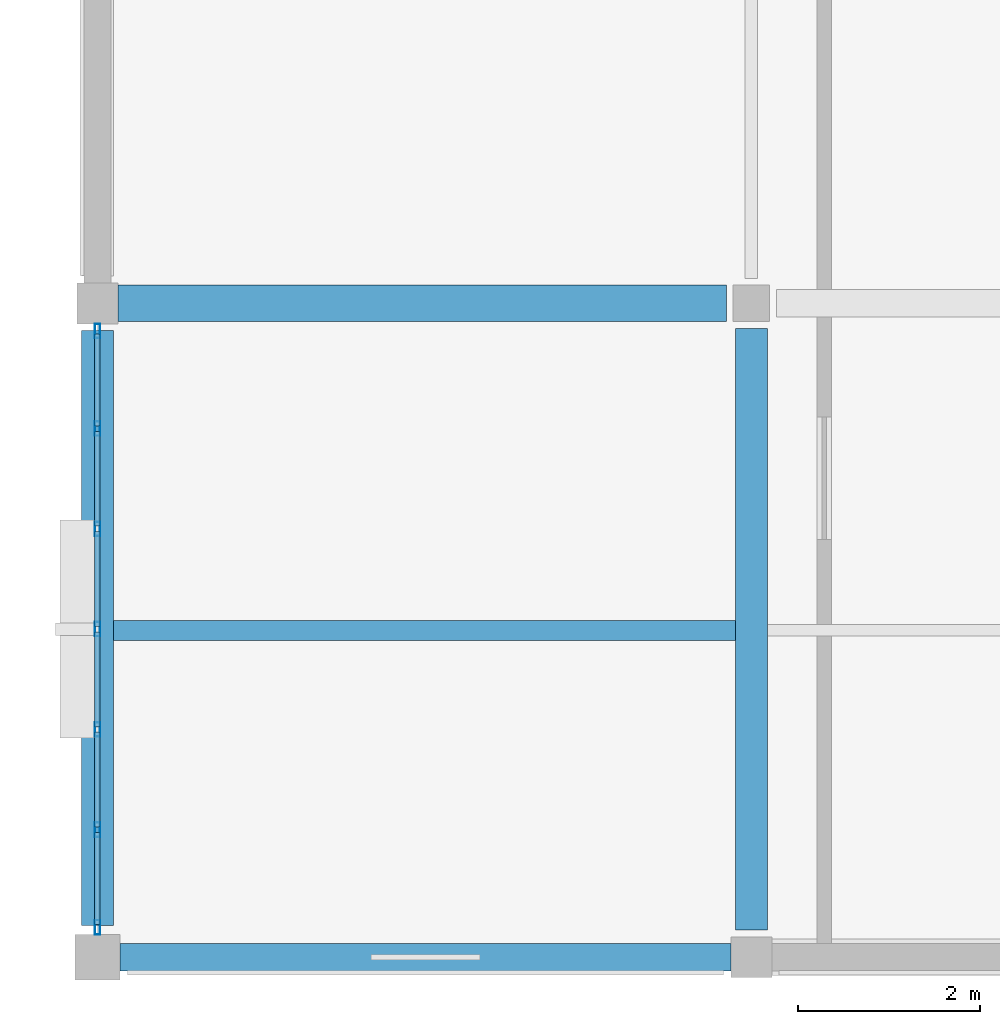
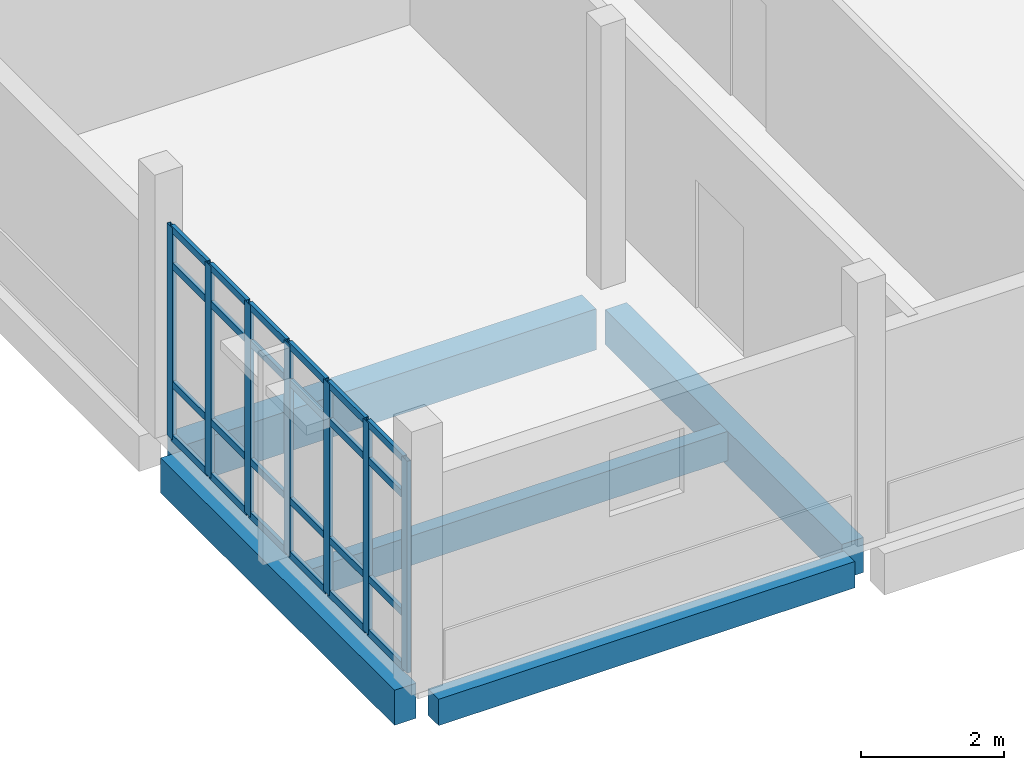
# One storey, part 6 of 62: 31 members, 5 beams, 1 element without a shape of its own.
"""IFC4 building model written with IfcOpenShell, lengths in metres."""

from ifc_helpers import new_model, si_unit, direction, frame, origin, origin_2d, place, context, subcontext, project, spatial, rectangle, hollow_rectangle, extrude, material, material_profile, profile_set, type_object, element, aggregate, save


model = new_model("IFC4")

# Units and contexts
model_context = context("Model", 3, precision=1e-05, world=origin(), true_north=direction((0.0, 1.0)))
body_context = subcontext(model_context, "Body", "Model", "MODEL_VIEW")
ifc_project = project(units=[si_unit("LENGTHUNIT", "METRE"), si_unit("AREAUNIT", "SQUARE_METRE"), si_unit("VOLUMEUNIT", "CUBIC_METRE"), si_unit("PLANEANGLEUNIT", "RADIAN"), si_unit("MASSUNIT", "GRAM", prefix="KILO")], contexts=[model_context])

# Site, building, storey
site_placement = place(None, origin())
site = spatial("IfcSite", under=ifc_project, at=site_placement, CompositionType="ELEMENT")
building_placement = place(site_placement, origin())
building = spatial("IfcBuilding", under=site, at=building_placement, Name="Kalluvel Institute of Natural Sciences", CompositionType="ELEMENT")
storey_placement = place(building_placement, frame((0.0, 0.0, 27.89990234375)))
storey = spatial("IfcBuildingStorey", under=building, at=storey_placement, Name="L06", CompositionType="ELEMENT", Elevation=27.89990234375)

# Beam
ifc_material_1 = material(Name="Concrete M40", Category="concrete")
ifc_material_profile_1 = material_profile(ifc_material_1, rectangle(XDim=0.35009765625, YDim=0.60009765625, at=origin_2d()), Name="RCB 350x600")
ifc_profile_set_1 = profile_set([ifc_material_profile_1], Name="Concrete M40")
beam_type_1 = type_object("IfcBeamType", Name="BM-RC350x600", PredefinedType="BEAM", material=ifc_profile_set_1)
beam_1_placement = place(storey_placement, frame((21.199951171875, 28.699951171875, -0.599853515625), z_axis=(0.0, 1.0, 0.0), x_axis=(-1.0, 0.0, 0.0)))
element("IfcBeam", 1, at=beam_1_placement, inside=storey, type_object=beam_type_1, Name="L06 girder GIR-L06-NS-X212-Y284", PredefinedType="BEAM", context=body_context, shape_type="SweptSolid", body=[
    extrude(rectangle(XDim=0.35009765625, YDim=0.60009765625, at=origin_2d()), origin(), (0.0, 0.0, 1.0), 6.625),
])

# Curtain wall, members
ifc_material_2 = material(Name="Aluminium AW-6063 T6", Category="aluminium")
curtain_wall_type = type_object("IfcCurtainWallType", Name="CW-DRY-45", PredefinedType="USERDEFINED", material=ifc_material_2)
curtain_wall_placement = place(storey_placement, origin())
curtain_wall = element("IfcCurtainWall", 2, at=curtain_wall_placement, inside=storey, type_object=curtain_wall_type, Name="L06 Gothic lancet curtain wall CWA-L06-X140-Y287", ObjectType="UNITISED LANCET FACADE", PredefinedType="USERDEFINED")
ifc_material_profile_2 = material_profile(ifc_material_2, hollow_rectangle(XDim=0.06005859375, YDim=0.159912109375, WallThickness=0.00390625, at=origin_2d()), Name="CWM 60x160")
ifc_profile_set_2 = profile_set([ifc_material_profile_2], Name="Aluminium AW-6063 T6")
member_type_1 = type_object("IfcMemberType", Name="CWM-60x160", PredefinedType="MULLION", material=ifc_profile_set_2)
member_1_placement = place(storey_placement, frame((14.0, 28.72998046875, 0.0), z_axis=(0.0, 0.0, 1.0), x_axis=(-1.0, 0.0, 0.0)))
member_1 = element("IfcMember", 3, at=member_1_placement, type_object=member_type_1, Name="CW-03 mullion 1", PredefinedType="MULLION", context=body_context, shape_type="SweptSolid", body=[
    extrude(hollow_rectangle(XDim=0.06005859375, YDim=0.159912109375, WallThickness=0.00390625, at=origin_2d()), origin(), (0.0, 0.0, 1.0), 3.6201171875),
])
member_2_placement = place(storey_placement, frame((14.0, 29.80419921875, 0.0), z_axis=(0.0, 0.0, 1.0), x_axis=(-1.0, 0.0, 0.0)))
member_2 = element("IfcMember", 4, at=member_2_placement, type_object=member_type_1, Name="CW-03 mullion 2", PredefinedType="MULLION", context=body_context, shape_type="SweptSolid", body=[
    extrude(hollow_rectangle(XDim=0.06005859375, YDim=0.159912109375, WallThickness=0.00390625, at=origin_2d()), origin(), (0.0, 0.0, 1.0), 3.6201171875),
])
member_3_placement = place(storey_placement, frame((14.0, 30.908447265625, 0.0), z_axis=(0.0, 0.0, 1.0), x_axis=(-1.0, 0.0, 0.0)))
member_3 = element("IfcMember", 5, at=member_3_placement, type_object=member_type_1, Name="CW-03 mullion 3", PredefinedType="MULLION", context=body_context, shape_type="SweptSolid", body=[
    extrude(hollow_rectangle(XDim=0.06005859375, YDim=0.159912109375, WallThickness=0.00390625, at=origin_2d()), origin(), (0.0, 0.0, 1.0), 3.6201171875),
])
member_4_placement = place(storey_placement, frame((14.0, 32.012451171875, 0.0), z_axis=(0.0, 0.0, 1.0), x_axis=(-1.0, 0.0, 0.0)))
member_4 = element("IfcMember", 6, at=member_4_placement, type_object=member_type_1, Name="CW-03 mullion 4", PredefinedType="MULLION", context=body_context, shape_type="SweptSolid", body=[
    extrude(hollow_rectangle(XDim=0.06005859375, YDim=0.159912109375, WallThickness=0.00390625, at=origin_2d()), origin(), (0.0, 0.0, 1.0), 3.6201171875),
])
member_5_placement = place(storey_placement, frame((14.0, 33.11669921875, 0.0), z_axis=(0.0, 0.0, 1.0), x_axis=(-1.0, 0.0, 0.0)))
member_5 = element("IfcMember", 7, at=member_5_placement, type_object=member_type_1, Name="CW-03 mullion 5", PredefinedType="MULLION", context=body_context, shape_type="SweptSolid", body=[
    extrude(hollow_rectangle(XDim=0.06005859375, YDim=0.159912109375, WallThickness=0.00390625, at=origin_2d()), origin(), (0.0, 0.0, 1.0), 3.6201171875),
])
member_6_placement = place(storey_placement, frame((14.0, 34.220947265625, 0.0), z_axis=(0.0, 0.0, 1.0), x_axis=(-1.0, 0.0, 0.0)))
member_6 = element("IfcMember", 8, at=member_6_placement, type_object=member_type_1, Name="CW-03 mullion 6", PredefinedType="MULLION", context=body_context, shape_type="SweptSolid", body=[
    extrude(hollow_rectangle(XDim=0.06005859375, YDim=0.159912109375, WallThickness=0.00390625, at=origin_2d()), origin(), (0.0, 0.0, 1.0), 3.6201171875),
])
member_7_placement = place(storey_placement, frame((14.0, 35.294921875, 0.0), z_axis=(0.0, 0.0, 1.0), x_axis=(-1.0, 0.0, 0.0)))
member_7 = element("IfcMember", 9, at=member_7_placement, type_object=member_type_1, Name="CW-03 mullion 7", PredefinedType="MULLION", context=body_context, shape_type="SweptSolid", body=[
    extrude(hollow_rectangle(XDim=0.06005859375, YDim=0.159912109375, WallThickness=0.00390625, at=origin_2d()), origin(), (0.0, 0.0, 1.0), 3.6201171875),
])
ifc_material_profile_3 = material_profile(ifc_material_2, hollow_rectangle(XDim=0.06005859375, YDim=0.1201171875, WallThickness=0.00390625, at=origin_2d()), Name="CWT 60x120")
ifc_profile_set_3 = profile_set([ifc_material_profile_3], Name="Aluminium AW-6063 T6")
member_type_2 = type_object("IfcMemberType", Name="CWT-60x120", PredefinedType="USERDEFINED", material=ifc_profile_set_3)
member_8_placement = place(storey_placement, frame((14.0, 28.760009765625, 0.030029296875), z_axis=(0.0, 1.0, 0.0), x_axis=(-1.0, 0.0, 0.0)))
member_8 = element("IfcMember", 10, at=member_8_placement, type_object=member_type_2, Name="CW-03 transom 1.1", ObjectType="TRANSOM", PredefinedType="USERDEFINED", context=body_context, shape_type="SweptSolid", body=[
    extrude(hollow_rectangle(XDim=0.06005859375, YDim=0.1201171875, WallThickness=0.00390625, at=origin_2d()), origin(), (0.0, 0.0, 1.0), 1.01416015625),
])
member_9_placement = place(storey_placement, frame((14.0, 28.760009765625, 0.9501953125), z_axis=(0.0, 1.0, 0.0), x_axis=(-1.0, 0.0, 0.0)))
member_9 = element("IfcMember", 11, at=member_9_placement, type_object=member_type_2, Name="CW-03 transom 1.2", ObjectType="TRANSOM", PredefinedType="USERDEFINED", context=body_context, shape_type="SweptSolid", body=[
    extrude(hollow_rectangle(XDim=0.06005859375, YDim=0.1201171875, WallThickness=0.00390625, at=origin_2d()), origin(), (0.0, 0.0, 1.0), 1.01416015625),
])
member_10_placement = place(storey_placement, frame((14.0, 28.760009765625, 2.97021484375), z_axis=(0.0, 1.0, 0.0), x_axis=(-1.0, 0.0, 0.0)))
member_10 = element("IfcMember", 12, at=member_10_placement, type_object=member_type_2, Name="CW-03 transom 1.3", ObjectType="TRANSOM", PredefinedType="USERDEFINED", context=body_context, shape_type="SweptSolid", body=[
    extrude(hollow_rectangle(XDim=0.06005859375, YDim=0.1201171875, WallThickness=0.00390625, at=origin_2d()), origin(), (0.0, 0.0, 1.0), 1.01416015625),
])
member_11_placement = place(storey_placement, frame((14.0, 28.760009765625, 3.590087890625), z_axis=(0.0, 1.0, 0.0), x_axis=(-1.0, 0.0, 0.0)))
member_11 = element("IfcMember", 13, at=member_11_placement, type_object=member_type_2, Name="CW-03 transom 1.4", ObjectType="TRANSOM", PredefinedType="USERDEFINED", context=body_context, shape_type="SweptSolid", body=[
    extrude(hollow_rectangle(XDim=0.06005859375, YDim=0.1201171875, WallThickness=0.00390625, at=origin_2d()), origin(), (0.0, 0.0, 1.0), 1.01416015625),
])
member_12_placement = place(storey_placement, frame((14.0, 29.834228515625, 0.030029296875), z_axis=(0.0, 1.0, 0.0), x_axis=(-1.0, 0.0, 0.0)))
member_12 = element("IfcMember", 14, at=member_12_placement, type_object=member_type_2, Name="CW-03 transom 2.1", ObjectType="TRANSOM", PredefinedType="USERDEFINED", context=body_context, shape_type="SweptSolid", body=[
    extrude(hollow_rectangle(XDim=0.06005859375, YDim=0.1201171875, WallThickness=0.00390625, at=origin_2d()), origin(), (0.0, 0.0, 1.0), 1.044189453125),
])
member_13_placement = place(storey_placement, frame((14.0, 29.834228515625, 0.9501953125), z_axis=(0.0, 1.0, 0.0), x_axis=(-1.0, 0.0, 0.0)))
member_13 = element("IfcMember", 15, at=member_13_placement, type_object=member_type_2, Name="CW-03 transom 2.2", ObjectType="TRANSOM", PredefinedType="USERDEFINED", context=body_context, shape_type="SweptSolid", body=[
    extrude(hollow_rectangle(XDim=0.06005859375, YDim=0.1201171875, WallThickness=0.00390625, at=origin_2d()), origin(), (0.0, 0.0, 1.0), 1.044189453125),
])
member_14_placement = place(storey_placement, frame((14.0, 29.834228515625, 2.97021484375), z_axis=(0.0, 1.0, 0.0), x_axis=(-1.0, 0.0, 0.0)))
member_14 = element("IfcMember", 16, at=member_14_placement, type_object=member_type_2, Name="CW-03 transom 2.3", ObjectType="TRANSOM", PredefinedType="USERDEFINED", context=body_context, shape_type="SweptSolid", body=[
    extrude(hollow_rectangle(XDim=0.06005859375, YDim=0.1201171875, WallThickness=0.00390625, at=origin_2d()), origin(), (0.0, 0.0, 1.0), 1.044189453125),
])
member_15_placement = place(storey_placement, frame((14.0, 29.834228515625, 3.590087890625), z_axis=(0.0, 1.0, 0.0), x_axis=(-1.0, 0.0, 0.0)))
member_15 = element("IfcMember", 17, at=member_15_placement, type_object=member_type_2, Name="CW-03 transom 2.4", ObjectType="TRANSOM", PredefinedType="USERDEFINED", context=body_context, shape_type="SweptSolid", body=[
    extrude(hollow_rectangle(XDim=0.06005859375, YDim=0.1201171875, WallThickness=0.00390625, at=origin_2d()), origin(), (0.0, 0.0, 1.0), 1.044189453125),
])
member_16_placement = place(storey_placement, frame((14.0, 30.938232421875, 0.030029296875), z_axis=(0.0, 1.0, 0.0), x_axis=(-1.0, 0.0, 0.0)))
member_16 = element("IfcMember", 18, at=member_16_placement, type_object=member_type_2, Name="CW-03 transom 3.1", ObjectType="TRANSOM", PredefinedType="USERDEFINED", context=body_context, shape_type="SweptSolid", body=[
    extrude(hollow_rectangle(XDim=0.06005859375, YDim=0.1201171875, WallThickness=0.00390625, at=origin_2d()), origin(), (0.0, 0.0, 1.0), 1.044189453125),
])
member_17_placement = place(storey_placement, frame((14.0, 30.938232421875, 0.9501953125), z_axis=(0.0, 1.0, 0.0), x_axis=(-1.0, 0.0, 0.0)))
member_17 = element("IfcMember", 19, at=member_17_placement, type_object=member_type_2, Name="CW-03 transom 3.2", ObjectType="TRANSOM", PredefinedType="USERDEFINED", context=body_context, shape_type="SweptSolid", body=[
    extrude(hollow_rectangle(XDim=0.06005859375, YDim=0.1201171875, WallThickness=0.00390625, at=origin_2d()), origin(), (0.0, 0.0, 1.0), 1.044189453125),
])
member_18_placement = place(storey_placement, frame((14.0, 30.938232421875, 2.97021484375), z_axis=(0.0, 1.0, 0.0), x_axis=(-1.0, 0.0, 0.0)))
member_18 = element("IfcMember", 20, at=member_18_placement, type_object=member_type_2, Name="CW-03 transom 3.3", ObjectType="TRANSOM", PredefinedType="USERDEFINED", context=body_context, shape_type="SweptSolid", body=[
    extrude(hollow_rectangle(XDim=0.06005859375, YDim=0.1201171875, WallThickness=0.00390625, at=origin_2d()), origin(), (0.0, 0.0, 1.0), 1.044189453125),
])
member_19_placement = place(storey_placement, frame((14.0, 30.938232421875, 3.590087890625), z_axis=(0.0, 1.0, 0.0), x_axis=(-1.0, 0.0, 0.0)))
member_19 = element("IfcMember", 21, at=member_19_placement, type_object=member_type_2, Name="CW-03 transom 3.4", ObjectType="TRANSOM", PredefinedType="USERDEFINED", context=body_context, shape_type="SweptSolid", body=[
    extrude(hollow_rectangle(XDim=0.06005859375, YDim=0.1201171875, WallThickness=0.00390625, at=origin_2d()), origin(), (0.0, 0.0, 1.0), 1.044189453125),
])
member_20_placement = place(storey_placement, frame((14.0, 32.04248046875, 0.030029296875), z_axis=(0.0, 1.0, 0.0), x_axis=(-1.0, 0.0, 0.0)))
member_20 = element("IfcMember", 22, at=member_20_placement, type_object=member_type_2, Name="CW-03 transom 4.1", ObjectType="TRANSOM", PredefinedType="USERDEFINED", context=body_context, shape_type="SweptSolid", body=[
    extrude(hollow_rectangle(XDim=0.06005859375, YDim=0.1201171875, WallThickness=0.00390625, at=origin_2d()), origin(), (0.0, 0.0, 1.0), 1.044189453125),
])
member_21_placement = place(storey_placement, frame((14.0, 32.04248046875, 0.9501953125), z_axis=(0.0, 1.0, 0.0), x_axis=(-1.0, 0.0, 0.0)))
member_21 = element("IfcMember", 23, at=member_21_placement, type_object=member_type_2, Name="CW-03 transom 4.2", ObjectType="TRANSOM", PredefinedType="USERDEFINED", context=body_context, shape_type="SweptSolid", body=[
    extrude(hollow_rectangle(XDim=0.06005859375, YDim=0.1201171875, WallThickness=0.00390625, at=origin_2d()), origin(), (0.0, 0.0, 1.0), 1.044189453125),
])
member_22_placement = place(storey_placement, frame((14.0, 32.04248046875, 2.97021484375), z_axis=(0.0, 1.0, 0.0), x_axis=(-1.0, 0.0, 0.0)))
member_22 = element("IfcMember", 24, at=member_22_placement, type_object=member_type_2, Name="CW-03 transom 4.3", ObjectType="TRANSOM", PredefinedType="USERDEFINED", context=body_context, shape_type="SweptSolid", body=[
    extrude(hollow_rectangle(XDim=0.06005859375, YDim=0.1201171875, WallThickness=0.00390625, at=origin_2d()), origin(), (0.0, 0.0, 1.0), 1.044189453125),
])
member_23_placement = place(storey_placement, frame((14.0, 32.04248046875, 3.590087890625), z_axis=(0.0, 1.0, 0.0), x_axis=(-1.0, 0.0, 0.0)))
member_23 = element("IfcMember", 25, at=member_23_placement, type_object=member_type_2, Name="CW-03 transom 4.4", ObjectType="TRANSOM", PredefinedType="USERDEFINED", context=body_context, shape_type="SweptSolid", body=[
    extrude(hollow_rectangle(XDim=0.06005859375, YDim=0.1201171875, WallThickness=0.00390625, at=origin_2d()), origin(), (0.0, 0.0, 1.0), 1.044189453125),
])
member_24_placement = place(storey_placement, frame((14.0, 33.146728515625, 0.030029296875), z_axis=(0.0, 1.0, 0.0), x_axis=(-1.0, 0.0, 0.0)))
member_24 = element("IfcMember", 26, at=member_24_placement, type_object=member_type_2, Name="CW-03 transom 5.1", ObjectType="TRANSOM", PredefinedType="USERDEFINED", context=body_context, shape_type="SweptSolid", body=[
    extrude(hollow_rectangle(XDim=0.06005859375, YDim=0.1201171875, WallThickness=0.00390625, at=origin_2d()), origin(), (0.0, 0.0, 1.0), 1.044189453125),
])
member_25_placement = place(storey_placement, frame((14.0, 33.146728515625, 0.9501953125), z_axis=(0.0, 1.0, 0.0), x_axis=(-1.0, 0.0, 0.0)))
member_25 = element("IfcMember", 27, at=member_25_placement, type_object=member_type_2, Name="CW-03 transom 5.2", ObjectType="TRANSOM", PredefinedType="USERDEFINED", context=body_context, shape_type="SweptSolid", body=[
    extrude(hollow_rectangle(XDim=0.06005859375, YDim=0.1201171875, WallThickness=0.00390625, at=origin_2d()), origin(), (0.0, 0.0, 1.0), 1.044189453125),
])
member_26_placement = place(storey_placement, frame((14.0, 33.146728515625, 2.97021484375), z_axis=(0.0, 1.0, 0.0), x_axis=(-1.0, 0.0, 0.0)))
member_26 = element("IfcMember", 28, at=member_26_placement, type_object=member_type_2, Name="CW-03 transom 5.3", ObjectType="TRANSOM", PredefinedType="USERDEFINED", context=body_context, shape_type="SweptSolid", body=[
    extrude(hollow_rectangle(XDim=0.06005859375, YDim=0.1201171875, WallThickness=0.00390625, at=origin_2d()), origin(), (0.0, 0.0, 1.0), 1.044189453125),
])
member_27_placement = place(storey_placement, frame((14.0, 33.146728515625, 3.590087890625), z_axis=(0.0, 1.0, 0.0), x_axis=(-1.0, 0.0, 0.0)))
member_27 = element("IfcMember", 29, at=member_27_placement, type_object=member_type_2, Name="CW-03 transom 5.4", ObjectType="TRANSOM", PredefinedType="USERDEFINED", context=body_context, shape_type="SweptSolid", body=[
    extrude(hollow_rectangle(XDim=0.06005859375, YDim=0.1201171875, WallThickness=0.00390625, at=origin_2d()), origin(), (0.0, 0.0, 1.0), 1.044189453125),
])
member_28_placement = place(storey_placement, frame((14.0, 34.250732421875, 0.030029296875), z_axis=(0.0, 1.0, 0.0), x_axis=(-1.0, 0.0, 0.0)))
member_28 = element("IfcMember", 30, at=member_28_placement, type_object=member_type_2, Name="CW-03 transom 6.1", ObjectType="TRANSOM", PredefinedType="USERDEFINED", context=body_context, shape_type="SweptSolid", body=[
    extrude(hollow_rectangle(XDim=0.06005859375, YDim=0.1201171875, WallThickness=0.00390625, at=origin_2d()), origin(), (0.0, 0.0, 1.0), 1.01416015625),
])
member_29_placement = place(storey_placement, frame((14.0, 34.250732421875, 0.9501953125), z_axis=(0.0, 1.0, 0.0), x_axis=(-1.0, 0.0, 0.0)))
member_29 = element("IfcMember", 31, at=member_29_placement, type_object=member_type_2, Name="CW-03 transom 6.2", ObjectType="TRANSOM", PredefinedType="USERDEFINED", context=body_context, shape_type="SweptSolid", body=[
    extrude(hollow_rectangle(XDim=0.06005859375, YDim=0.1201171875, WallThickness=0.00390625, at=origin_2d()), origin(), (0.0, 0.0, 1.0), 1.01416015625),
])
member_30_placement = place(storey_placement, frame((14.0, 34.250732421875, 2.97021484375), z_axis=(0.0, 1.0, 0.0), x_axis=(-1.0, 0.0, 0.0)))
member_30 = element("IfcMember", 32, at=member_30_placement, type_object=member_type_2, Name="CW-03 transom 6.3", ObjectType="TRANSOM", PredefinedType="USERDEFINED", context=body_context, shape_type="SweptSolid", body=[
    extrude(hollow_rectangle(XDim=0.06005859375, YDim=0.1201171875, WallThickness=0.00390625, at=origin_2d()), origin(), (0.0, 0.0, 1.0), 1.01416015625),
])
member_31_placement = place(storey_placement, frame((14.0, 34.250732421875, 3.590087890625), z_axis=(0.0, 1.0, 0.0), x_axis=(-1.0, 0.0, 0.0)))
member_31 = element("IfcMember", 33, at=member_31_placement, type_object=member_type_2, Name="CW-03 transom 6.4", ObjectType="TRANSOM", PredefinedType="USERDEFINED", context=body_context, shape_type="SweptSolid", body=[
    extrude(hollow_rectangle(XDim=0.06005859375, YDim=0.1201171875, WallThickness=0.00390625, at=origin_2d()), origin(), (0.0, 0.0, 1.0), 1.01416015625),
])
aggregate(curtain_wall, [member_1, member_2, member_3, member_4, member_5, member_6, member_7, member_8, member_9, member_10, member_11, member_12, member_13, member_14, member_15, member_16, member_17, member_18, member_19, member_20, member_21, member_22, member_23, member_24, member_25, member_26, member_27, member_28, member_29, member_30, member_31])

# Beams
ifc_material_profile_4 = material_profile(ifc_material_1, rectangle(XDim=0.300048828125, YDim=0.449951171875, at=origin_2d()), Name="RCB 300x450")
ifc_profile_set_4 = profile_set([ifc_material_profile_4], Name="Concrete M40")
beam_type_2 = type_object("IfcBeamType", Name="SP-RC300x450", PredefinedType="SPANDREL", material=ifc_profile_set_4)
beam_2_placement = place(storey_placement, frame((14.25, 28.39990234375, -0.52490234375), z_axis=(1.0, 0.0, 0.0), x_axis=(0.0, 1.0, 0.0)))
element("IfcBeam", 34, at=beam_2_placement, inside=storey, type_object=beam_type_2, Name="L06 girder GIR-L06-EW-X140-Y284", PredefinedType="SPANDREL", context=body_context, shape_type="SweptSolid", body=[
    extrude(rectangle(XDim=0.300048828125, YDim=0.449951171875, at=origin_2d()), origin(), (0.0, 0.0, 1.0), 6.72509765625),
])
ifc_material_profile_5 = material_profile(ifc_material_1, rectangle(XDim=0.35009765625, YDim=0.60009765625, at=origin_2d()), Name="RCB 350x600")
ifc_profile_set_5 = profile_set([ifc_material_profile_5], Name="Concrete M40")
beam_type_3 = type_object("IfcBeamType", Name="SP-RC350x600", PredefinedType="SPANDREL", material=ifc_profile_set_5)
beam_3_placement = place(storey_placement, frame((14.0, 28.75, -0.599853515625), z_axis=(0.0, 1.0, 0.0), x_axis=(-1.0, 0.0, 0.0)))
element("IfcBeam", 35, at=beam_3_placement, inside=storey, type_object=beam_type_3, Name="L06 girder GIR-L06-NS-X140-Y284", PredefinedType="SPANDREL", context=body_context, shape_type="SweptSolid", body=[
    extrude(rectangle(XDim=0.35009765625, YDim=0.60009765625, at=origin_2d()), origin(), (0.0, 0.0, 1.0), 6.550048828125),
])
ifc_material_profile_6 = material_profile(ifc_material_1, rectangle(XDim=0.39990234375, YDim=0.699951171875, at=origin_2d()), Name="RCB 400x700")
ifc_profile_set_6 = profile_set([ifc_material_profile_6], Name="Concrete M40")
beam_type_4 = type_object("IfcBeamType", Name="SP-RC400x700", PredefinedType="SPANDREL", material=ifc_profile_set_6)
beam_4_placement = place(storey_placement, frame((14.22509765625, 35.60009765625, -0.64990234375), z_axis=(1.0, 0.0, 0.0), x_axis=(0.0, 1.0, 0.0)))
element("IfcBeam", 36, at=beam_4_placement, inside=storey, type_object=beam_type_4, Name="L06 girder GIR-L06-EW-X140-Y356", PredefinedType="SPANDREL", context=body_context, shape_type="SweptSolid", body=[
    extrude(rectangle(XDim=0.39990234375, YDim=0.699951171875, at=origin_2d()), origin(), (0.0, 0.0, 1.0), 6.699951171875),
])
ifc_material_profile_7 = material_profile(ifc_material_1, rectangle(XDim=0.219970703125, YDim=0.5, at=origin_2d()), Name="WAF 220x500")
ifc_profile_set_7 = profile_set([ifc_material_profile_7], Name="Concrete M40")
beam_type_5 = type_object("IfcBeamType", Name="WJ-220x500", PredefinedType="JOIST", material=ifc_profile_set_7)
beam_5_placement = place(storey_placement, frame((14.175048828125, 32.0, -0.5498046875), z_axis=(1.0, 0.0, 0.0), x_axis=(0.0, 1.0, 0.0)))
element("IfcBeam", 37, at=beam_5_placement, inside=storey, type_object=beam_type_5, Name="L06 floor rib RIB-L06-0755", PredefinedType="JOIST", context=body_context, shape_type="SweptSolid", body=[
    extrude(rectangle(XDim=0.219970703125, YDim=0.5, at=origin_2d()), origin(), (0.0, 0.0, 1.0), 6.849853515625),
])

save(model, "model.ifc")
